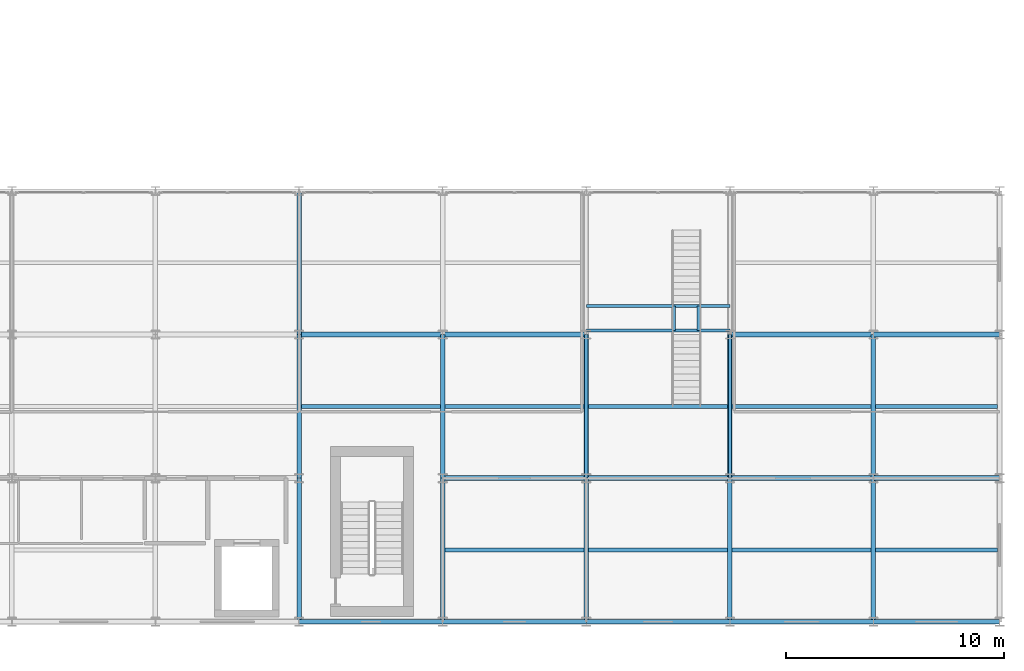
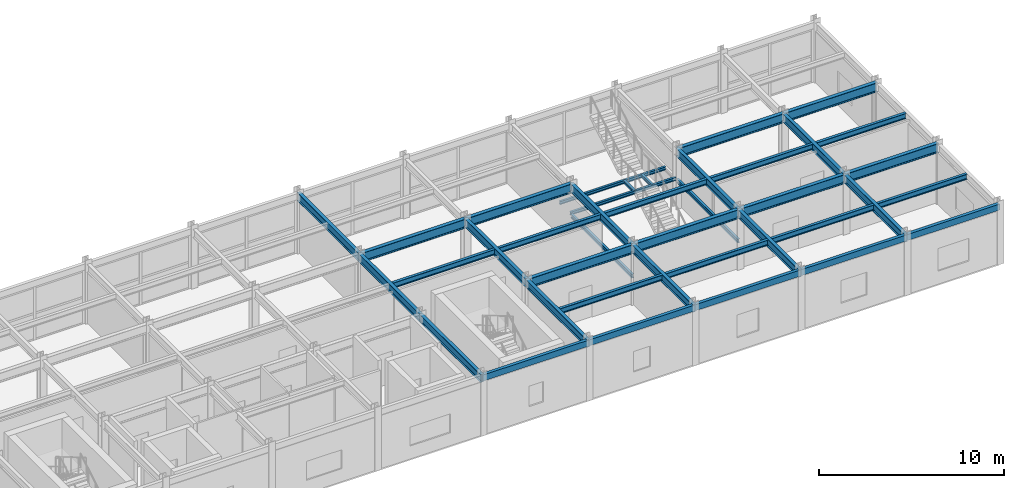
# One storey, part 103 of 157: 39 beams.
"""IFC4 building model written with IfcOpenShell, lengths in metres."""

import ifcopenshell
import ifcopenshell.guid

model = None  # the IFC model being written
_history = None  # IfcOwnerHistory: only IFC2X3 demands one
_inside = {}  # id of a spatial element -> (the spatial element, [elements in it])
_under = {}  # id of a project, library or spatial element -> (it, [spatial elements below it])
_declared = {}  # id of a project -> (the project, [libraries it declares])
_typed = {}  # id of a type object -> (the type object, [elements of that type])
_made_of = {}  # id of a material, layer set ... -> (it, [elements and type objects made of it])


def new_model(schema):
    """Start an empty IFC model of exactly this schema.

    Asked for "IFC4X3", IfcOpenShell would pick the latest addendum, in which some entities
    have other attributes; the version numbers below select the first issue.
    IFC2X3 requires an IfcOwnerHistory on every rooted entity: one is made here for all.
    """
    global model, _history
    if schema == "IFC4X3":
        model = ifcopenshell.file(schema_version=(4, 3, 0, 0))
    else:
        model = ifcopenshell.file(schema=schema)
    _inside.clear()
    _under.clear()
    _declared.clear()
    _typed.clear()
    _made_of.clear()
    _history = None
    if model.schema == "IFC2X3":
        org = make("IfcOrganization", Name="unknown")
        user = make(
            "IfcPersonAndOrganization",
            ThePerson=make("IfcPerson", FamilyName="unknown"),
            TheOrganization=org,
        )
        app = make(
            "IfcApplication",
            ApplicationDeveloper=org,
            Version="unknown",
            ApplicationFullName="unknown",
            ApplicationIdentifier="unknown",
        )
        _history = make(
            "IfcOwnerHistory",
            OwningUser=user,
            OwningApplication=app,
            ChangeAction="ADDED",
            CreationDate=0,
        )
    return model


def make(cls, **values):
    """One entity of the class cls with the attributes given. An attribute that is None is left unset."""
    return model.create_entity(
        cls, **{name: value for name, value in values.items() if value is not None}
    )


def rooted(cls, **values):
    """An entity with a GlobalId (a new one), such as an element, a storey or a relation."""
    return make(cls, GlobalId=ifcopenshell.guid.new(), OwnerHistory=_history, **values)


def si_unit(unit_type, name, prefix=None):
    """IfcSIUnit, for example si_unit("LENGTHUNIT", "METRE", prefix="MILLI")."""
    return make("IfcSIUnit", UnitType=unit_type, Prefix=prefix, Name=name)


def assignment(units):
    """IfcUnitAssignment: the units of a project."""
    return None if units is None else make("IfcUnitAssignment", Units=units)


def point(xyz):
    """IfcCartesianPoint."""
    return None if xyz is None else make("IfcCartesianPoint", Coordinates=xyz)


def direction(xyz):
    """IfcDirection."""
    return None if xyz is None else make("IfcDirection", DirectionRatios=xyz)


def frame(location, z_axis=None, x_axis=None):
    """IfcAxis2Placement3D, a coordinate frame: its origin and axes. An axis left out is left unset."""
    return make(
        "IfcAxis2Placement3D",
        Location=point(location),
        Axis=direction(z_axis),
        RefDirection=direction(x_axis),
    )


def frame_2d(location, x_axis=None):
    """IfcAxis2Placement2D, a coordinate frame in the plane: its origin and x axis."""
    return make(
        "IfcAxis2Placement2D", Location=point(location), RefDirection=direction(x_axis)
    )


def origin():
    """The frame at (0, 0, 0) with its axes left unset."""
    return frame((0.0, 0.0, 0.0))


def origin_2d():
    """The frame at (0, 0) in the plane with its x axis left unset."""
    return frame_2d((0.0, 0.0))


def place(relative_to, where):
    """IfcLocalPlacement: puts the frame where relative to a parent placement (None: the world)."""
    return make(
        "IfcLocalPlacement", PlacementRelTo=relative_to, RelativePlacement=where
    )


def context(
    kind, dimensions, precision=None, world=None, true_north=None, identifier=None
):
    """IfcGeometricRepresentationContext, for example the 3D "Model" context."""
    return make(
        "IfcGeometricRepresentationContext",
        ContextIdentifier=identifier,
        ContextType=kind,
        CoordinateSpaceDimension=dimensions,
        Precision=precision,
        WorldCoordinateSystem=world,
        TrueNorth=true_north,
    )


def subcontext(parent, identifier, kind, view, scale=None):
    """IfcGeometricRepresentationSubContext, for example "Body" below "Model"."""
    return make(
        "IfcGeometricRepresentationSubContext",
        ContextIdentifier=identifier,
        ContextType=kind,
        ParentContext=parent,
        TargetScale=scale,
        TargetView=view,
    )


def project(units=None, contexts=None):
    """IfcProject with its units and contexts."""
    return rooted(
        "IfcProject",
        Name="project",
        RepresentationContexts=contexts,
        UnitsInContext=assignment(units),
    )


def spatial(cls, under=None, at=None, **own):
    """A site, building, storey or space (cls), placed at a placement, below another one or the project."""
    s = rooted(cls, ObjectPlacement=at, **own)
    if under is not None:
        _under.setdefault(under.id(), (under, []))[1].append(s)
    return s


def profile(cls, at=None, kind="AREA", **sizes):
    """A parametric profile (cls). Its sizes go by their IFC names, for example OverallWidth=200.0."""
    return make(cls, ProfileType=kind, Position=at, **sizes)


def hollow_rectangle(**sizes):
    """IfcRectangleHollowProfileDef."""
    return profile("IfcRectangleHollowProfileDef", **sizes)


def i_section(**sizes):
    """IfcIShapeProfileDef."""
    return profile("IfcIShapeProfileDef", **sizes)


def extrude(swept, where, along, depth):
    """IfcExtrudedAreaSolid: the profile swept, set in the frame where, extruded along a direction by depth."""
    return make(
        "IfcExtrudedAreaSolid",
        SweptArea=swept,
        Position=where,
        ExtrudedDirection=direction(along),
        Depth=depth,
    )


def shape(context_of_items, identifier, shape_type, items):
    """IfcShapeRepresentation: the items that make up one representation, for example the "Body"."""
    return make(
        "IfcShapeRepresentation",
        ContextOfItems=context_of_items,
        RepresentationIdentifier=identifier,
        RepresentationType=shape_type,
        Items=items,
    )


def material(Name=None, Category=None):
    """IfcMaterial."""
    return make("IfcMaterial", Name=Name, Category=Category)


def material_profile(
    of_material, cross_section, Name=None, Category=None, Priority=None
):
    """IfcMaterialProfile: a cross section and its material."""
    return make(
        "IfcMaterialProfile",
        Name=Name,
        Material=of_material,
        Profile=cross_section,
        Priority=Priority,
        Category=Category,
    )


def profile_set(profiles, Name=None, composite=None):
    """IfcMaterialProfileSet."""
    return make(
        "IfcMaterialProfileSet",
        Name=Name,
        MaterialProfiles=profiles,
        CompositeProfile=composite,
    )


def made_of(thing, what):
    """Note that an element or type object is made of a material, layer set ...; save() writes the relation."""
    if what is not None:
        _made_of.setdefault(what.id(), (what, []))[1].append(thing)
    return thing


def type_object(cls, material=None, **own):
    """A type object (cls), such as IfcWallType, which elements share."""
    return made_of(rooted(cls, **own), material)


def element(
    cls,
    number,
    at=None,
    inside=None,
    cuts=None,
    type_object=None,
    material=None,
    context=None,
    identifier="Body",
    shape_type=None,
    held_by="IfcProductDefinitionShape",
    body=None,
    shapes=None,
    **own,
):
    """One element of the class cls, such as IfcWall. Its Tag is "e" and its number.

    at: its placement. inside: the storey or other place that contains it. cuts: it is an
    opening in that element (IfcRelVoidsElement). A single representation is given by context,
    identifier, shape_type and body (its items); several are given by shapes. held_by: the class
    of the entity that holds the representations. save() writes the other relations.
    """
    e = rooted(cls, Tag="e%d" % number, ObjectPlacement=at, **own)
    if body is not None:
        shapes = [shape(context, identifier, shape_type, body)]
    if shapes is not None:
        e.Representation = make(held_by, Representations=shapes)
    if inside is not None:
        _inside.setdefault(inside.id(), (inside, []))[1].append(e)
    if cuts is not None:
        rooted(
            "IfcRelVoidsElement", RelatingBuildingElement=cuts, RelatedOpeningElement=e
        )
    if type_object is not None:
        _typed.setdefault(type_object.id(), (type_object, []))[1].append(e)
    return made_of(e, material)


def aggregate(whole, parts):
    """IfcRelAggregates: a whole, such as a stair, and the parts it consists of."""
    return rooted("IfcRelAggregates", RelatingObject=whole, RelatedObjects=parts)


def save(model, path):
    """Write the relations noted so far, then the file.

    IfcRelAggregates (storeys below a building ...), IfcRelContainedInSpatialStructure (elements
    in a storey), IfcRelDefinesByType, IfcRelAssociatesMaterial and IfcRelDeclares: one each for
    every whole, place, type object, material and project.
    """
    for whole, parts in _under.values():
        aggregate(whole, parts)
    for where, things in _inside.values():
        rooted(
            "IfcRelContainedInSpatialStructure",
            RelatedElements=things,
            RelatingStructure=where,
        )
    for kind, things in _typed.values():
        rooted("IfcRelDefinesByType", RelatedObjects=things, RelatingType=kind)
    for what, things in _made_of.values():
        rooted("IfcRelAssociatesMaterial", RelatedObjects=things, RelatingMaterial=what)
    for by, libraries in _declared.values():
        rooted("IfcRelDeclares", RelatingContext=by, RelatedDefinitions=libraries)
    model.write(path)


model = new_model("IFC4")

# Units and contexts
model_context = context("Model", 3, precision=1e-05, world=origin(), true_north=direction((0.0, 1.0)))
body_context = subcontext(model_context, "Body", "Model", "MODEL_VIEW")
ifc_project = project(units=[si_unit("LENGTHUNIT", "METRE"), si_unit("AREAUNIT", "SQUARE_METRE"), si_unit("VOLUMEUNIT", "CUBIC_METRE"), si_unit("PLANEANGLEUNIT", "RADIAN"), si_unit("MASSUNIT", "GRAM", prefix="KILO")], contexts=[model_context])

# Site, building, storey
site_placement = place(None, origin())
site = spatial("IfcSite", under=ifc_project, at=site_placement, CompositionType="ELEMENT")
building_placement = place(site_placement, origin())
building = spatial("IfcBuilding", under=site, at=building_placement, Name="Karori Crest Natural Sciences Institute", CompositionType="ELEMENT")
storey_placement = place(building_placement, frame((0.0, 0.0, 13.300048828125)))
storey = spatial("IfcBuildingStorey", under=building, at=storey_placement, Name="L03", CompositionType="ELEMENT", Elevation=13.300048828125)

# Beams
ifc_material_1 = material(Name="Structural steel AS/NZS 3679.1 Grade 350", Category="steel")
ifc_material_profile_1 = material_profile(ifc_material_1, i_section(OverallWidth=0.22900390625, OverallDepth=0.612060546875, WebThickness=0.011962890625, FlangeThickness=0.01953125, FilletRadius=0.013916015625, at=origin_2d()), Name="610UB125")
ifc_profile_set_1 = profile_set([ifc_material_profile_1], Name="Structural steel AS/NZS 3679.1 Grade 350")
beam_type_1 = type_object("IfcBeamType", Name="BT-04", PredefinedType="BEAM", material=ifc_profile_set_1)
beam_1_placement = place(storey_placement, frame((136.60009765625, 7.39990234375, 3.614013671875), z_axis=(1.0, 0.0, 0.0), x_axis=(0.0, 1.0, 0.0)))
element("IfcBeam", 1, at=beam_1_placement, inside=storey, type_object=beam_type_1, Name="Beam B-2294", PredefinedType="BEAM", context=body_context, shape_type="SweptSolid", body=[
    extrude(i_section(OverallWidth=0.22900390625, OverallDepth=0.612060546875, WebThickness=0.011962890625, FlangeThickness=0.01953125, FilletRadius=0.013916015625, at=origin_2d()), origin(), (0.0, 0.0, 1.0), 6.599853515625),
])
beam_2_placement = place(storey_placement, frame((143.199951171875, 7.39990234375, 3.614013671875), z_axis=(1.0, 0.0, 0.0), x_axis=(0.0, 1.0, 0.0)))
element("IfcBeam", 2, at=beam_2_placement, inside=storey, type_object=beam_type_1, Name="Beam B-2295", PredefinedType="BEAM", context=body_context, shape_type="SweptSolid", body=[
    extrude(i_section(OverallWidth=0.22900390625, OverallDepth=0.612060546875, WebThickness=0.011962890625, FlangeThickness=0.01953125, FilletRadius=0.013916015625, at=origin_2d()), origin(), (0.0, 0.0, 1.0), 6.60009765625),
])
beam_3_placement = place(storey_placement, frame((149.800048828125, 7.39990234375, 3.614013671875), z_axis=(1.0, 0.0, 0.0), x_axis=(0.0, 1.0, 0.0)))
element("IfcBeam", 3, at=beam_3_placement, inside=storey, type_object=beam_type_1, Name="Beam B-2296", PredefinedType="BEAM", context=body_context, shape_type="SweptSolid", body=[
    extrude(i_section(OverallWidth=0.22900390625, OverallDepth=0.612060546875, WebThickness=0.011962890625, FlangeThickness=0.01953125, FilletRadius=0.013916015625, at=origin_2d()), origin(), (0.0, 0.0, 1.0), 6.599853515625),
])
beam_4_placement = place(storey_placement, frame((156.39990234375, 7.39990234375, 3.614013671875), z_axis=(1.0, 0.0, 0.0), x_axis=(0.0, 1.0, 0.0)))
element("IfcBeam", 4, at=beam_4_placement, inside=storey, type_object=beam_type_1, Name="Beam B-2297", PredefinedType="BEAM", context=body_context, shape_type="SweptSolid", body=[
    extrude(i_section(OverallWidth=0.22900390625, OverallDepth=0.612060546875, WebThickness=0.011962890625, FlangeThickness=0.01953125, FilletRadius=0.013916015625, at=origin_2d()), origin(), (0.0, 0.0, 1.0), 5.800048828125),
])
beam_5_placement = place(storey_placement, frame((130.0, 14.0, 3.614013671875), z_axis=(1.0, 0.0, 0.0), x_axis=(0.0, 1.0, 0.0)))
element("IfcBeam", 5, at=beam_5_placement, inside=storey, type_object=beam_type_1, Name="Beam B-2302", PredefinedType="BEAM", context=body_context, shape_type="SweptSolid", body=[
    extrude(i_section(OverallWidth=0.22900390625, OverallDepth=0.612060546875, WebThickness=0.011962890625, FlangeThickness=0.01953125, FilletRadius=0.013916015625, at=origin_2d()), origin(), (0.0, 0.0, 1.0), 6.60009765625),
])
for number, where, z_axis, x_axis, name in (
    (6, (136.60009765625, 14.0, 3.614013671875), (1.0, 0.0, 0.0), (0.0, 1.0, 0.0), "Beam B-2303"),
    (7, (149.800048828125, 14.0, 3.614013671875), (1.0, 0.0, 0.0), (0.0, 1.0, 0.0), "Beam B-2304"),
):
    element("IfcBeam", number, at=place(storey_placement, frame(where, z_axis=z_axis, x_axis=x_axis)), inside=storey, type_object=beam_type_1, Name=name, PredefinedType="BEAM", context=body_context, shape_type="SweptSolid", body=[
        extrude(i_section(OverallWidth=0.22900390625, OverallDepth=0.612060546875, WebThickness=0.011962890625, FlangeThickness=0.01953125, FilletRadius=0.013916015625, at=origin_2d()), origin(), (0.0, 0.0, 1.0), 6.599853515625),
    ])
beam_6_placement = place(storey_placement, frame((156.39990234375, 14.0, 3.614013671875), z_axis=(1.0, 0.0, 0.0), x_axis=(0.0, 1.0, 0.0)))
element("IfcBeam", 8, at=beam_6_placement, inside=storey, type_object=beam_type_1, Name="Beam B-2305", PredefinedType="BEAM", context=body_context, shape_type="SweptSolid", body=[
    extrude(i_section(OverallWidth=0.22900390625, OverallDepth=0.612060546875, WebThickness=0.011962890625, FlangeThickness=0.01953125, FilletRadius=0.013916015625, at=origin_2d()), origin(), (0.0, 0.0, 1.0), 5.800048828125),
])
ifc_material_profile_2 = material_profile(ifc_material_1, i_section(OverallWidth=0.208984375, OverallDepth=0.532958984375, WebThickness=0.01025390625, FlangeThickness=0.015625, FilletRadius=0.013916015625, at=origin_2d()), Name="530UB92.4")
ifc_profile_set_2 = profile_set([ifc_material_profile_2], Name="Structural steel AS/NZS 3679.1 Grade 350")
beam_type_2 = type_object("IfcBeamType", Name="BT-05", PredefinedType="BEAM", material=ifc_profile_set_2)
beam_7_placement = place(storey_placement, frame((130.0, 0.800048828125, 3.653564453125), z_axis=(0.0, 1.0, 0.0), x_axis=(-1.0, 0.0, 0.0)))
element("IfcBeam", 9, at=beam_7_placement, inside=storey, type_object=beam_type_2, Name="Beam B-2327", PredefinedType="BEAM", context=body_context, shape_type="SweptSolid", body=[
    extrude(i_section(OverallWidth=0.208984375, OverallDepth=0.532958984375, WebThickness=0.01025390625, FlangeThickness=0.015625, FilletRadius=0.013916015625, at=origin_2d()), origin(), (0.0, 0.0, 1.0), 6.599853515625),
])
for number, where, z_axis, x_axis, name in (
    (10, (130.0, 7.39990234375, 3.653564453125), (0.0, 1.0, 0.0), (-1.0, 0.0, 0.0), "Beam B-2328"),
    (11, (130.0, 14.0, 3.653564453125), (0.0, 1.0, 0.0), (-1.0, 0.0, 0.0), "Beam B-2329"),
):
    element("IfcBeam", number, at=place(storey_placement, frame(where, z_axis=z_axis, x_axis=x_axis)), inside=storey, type_object=beam_type_2, Name=name, PredefinedType="BEAM", context=body_context, shape_type="SweptSolid", body=[
        extrude(i_section(OverallWidth=0.208984375, OverallDepth=0.532958984375, WebThickness=0.01025390625, FlangeThickness=0.015625, FilletRadius=0.013916015625, at=origin_2d()), origin(), (0.0, 0.0, 1.0), 6.60009765625),
    ])
beam_8_placement = place(storey_placement, frame((136.60009765625, 0.800048828125, 3.653564453125), z_axis=(0.0, 1.0, 0.0), x_axis=(-1.0, 0.0, 0.0)))
element("IfcBeam", 12, at=beam_8_placement, inside=storey, type_object=beam_type_2, Name="Beam B-2330", PredefinedType="BEAM", context=body_context, shape_type="SweptSolid", body=[
    extrude(i_section(OverallWidth=0.208984375, OverallDepth=0.532958984375, WebThickness=0.01025390625, FlangeThickness=0.015625, FilletRadius=0.013916015625, at=origin_2d()), origin(), (0.0, 0.0, 1.0), 6.599853515625),
])
beam_9_placement = place(storey_placement, frame((136.60009765625, 7.39990234375, 3.653564453125), z_axis=(0.0, 1.0, 0.0), x_axis=(-1.0, 0.0, 0.0)))
element("IfcBeam", 13, at=beam_9_placement, inside=storey, type_object=beam_type_2, Name="Beam B-2331", PredefinedType="BEAM", context=body_context, shape_type="SweptSolid", body=[
    extrude(i_section(OverallWidth=0.208984375, OverallDepth=0.532958984375, WebThickness=0.01025390625, FlangeThickness=0.015625, FilletRadius=0.013916015625, at=origin_2d()), origin(), (0.0, 0.0, 1.0), 6.60009765625),
])
beam_10_placement = place(storey_placement, frame((143.199951171875, 0.800048828125, 3.653564453125), z_axis=(0.0, 1.0, 0.0), x_axis=(-1.0, 0.0, 0.0)))
element("IfcBeam", 14, at=beam_10_placement, inside=storey, type_object=beam_type_2, Name="Beam B-2333", PredefinedType="BEAM", context=body_context, shape_type="SweptSolid", body=[
    extrude(i_section(OverallWidth=0.208984375, OverallDepth=0.532958984375, WebThickness=0.01025390625, FlangeThickness=0.015625, FilletRadius=0.013916015625, at=origin_2d()), origin(), (0.0, 0.0, 1.0), 6.599853515625),
])
beam_11_placement = place(storey_placement, frame((143.199951171875, 7.39990234375, 3.653564453125), z_axis=(0.0, 1.0, 0.0), x_axis=(-1.0, 0.0, 0.0)))
element("IfcBeam", 15, at=beam_11_placement, inside=storey, type_object=beam_type_2, Name="Beam B-2334", PredefinedType="BEAM", context=body_context, shape_type="SweptSolid", body=[
    extrude(i_section(OverallWidth=0.208984375, OverallDepth=0.532958984375, WebThickness=0.01025390625, FlangeThickness=0.015625, FilletRadius=0.013916015625, at=origin_2d()), origin(), (0.0, 0.0, 1.0), 6.60009765625),
])
beam_12_placement = place(storey_placement, frame((149.800048828125, 0.800048828125, 3.653564453125), z_axis=(0.0, 1.0, 0.0), x_axis=(-1.0, 0.0, 0.0)))
element("IfcBeam", 16, at=beam_12_placement, inside=storey, type_object=beam_type_2, Name="Beam B-2336", PredefinedType="BEAM", context=body_context, shape_type="SweptSolid", body=[
    extrude(i_section(OverallWidth=0.208984375, OverallDepth=0.532958984375, WebThickness=0.01025390625, FlangeThickness=0.015625, FilletRadius=0.013916015625, at=origin_2d()), origin(), (0.0, 0.0, 1.0), 6.599853515625),
])
beam_13_placement = place(storey_placement, frame((149.800048828125, 7.39990234375, 3.653564453125), z_axis=(0.0, 1.0, 0.0), x_axis=(-1.0, 0.0, 0.0)))
element("IfcBeam", 17, at=beam_13_placement, inside=storey, type_object=beam_type_2, Name="Beam B-2337", PredefinedType="BEAM", context=body_context, shape_type="SweptSolid", body=[
    extrude(i_section(OverallWidth=0.208984375, OverallDepth=0.532958984375, WebThickness=0.01025390625, FlangeThickness=0.015625, FilletRadius=0.013916015625, at=origin_2d()), origin(), (0.0, 0.0, 1.0), 6.60009765625),
])
beam_14_placement = place(storey_placement, frame((156.39990234375, 0.800048828125, 3.653564453125), z_axis=(0.0, 1.0, 0.0), x_axis=(-1.0, 0.0, 0.0)))
element("IfcBeam", 18, at=beam_14_placement, inside=storey, type_object=beam_type_2, Name="Beam B-2339", PredefinedType="BEAM", context=body_context, shape_type="SweptSolid", body=[
    extrude(i_section(OverallWidth=0.208984375, OverallDepth=0.532958984375, WebThickness=0.01025390625, FlangeThickness=0.015625, FilletRadius=0.013916015625, at=origin_2d()), origin(), (0.0, 0.0, 1.0), 6.599853515625),
])
beam_15_placement = place(storey_placement, frame((156.39990234375, 7.39990234375, 3.653564453125), z_axis=(0.0, 1.0, 0.0), x_axis=(-1.0, 0.0, 0.0)))
element("IfcBeam", 19, at=beam_15_placement, inside=storey, type_object=beam_type_2, Name="Beam B-2340", PredefinedType="BEAM", context=body_context, shape_type="SweptSolid", body=[
    extrude(i_section(OverallWidth=0.208984375, OverallDepth=0.532958984375, WebThickness=0.01025390625, FlangeThickness=0.015625, FilletRadius=0.013916015625, at=origin_2d()), origin(), (0.0, 0.0, 1.0), 6.60009765625),
])
ifc_material_profile_3 = material_profile(ifc_material_1, i_section(OverallWidth=0.172119140625, OverallDepth=0.35888671875, WebThickness=0.008056640625, FlangeThickness=0.012939453125, FilletRadius=0.010986328125, at=origin_2d()), Name="360UB56.7")
ifc_profile_set_3 = profile_set([ifc_material_profile_3], Name="Structural steel AS/NZS 3679.1 Grade 350")
beam_type_3 = type_object("IfcBeamType", Name="BT-08", PredefinedType="BEAM", material=ifc_profile_set_3)
beam_16_placement = place(storey_placement, frame((130.1044921875, 10.699951171875, 3.740478515625), z_axis=(1.0, 0.0, 0.0), x_axis=(0.0, 1.0, 0.0)))
element("IfcBeam", 20, at=beam_16_placement, inside=storey, type_object=beam_type_3, Name="Beam B-2354", PredefinedType="BEAM", context=body_context, shape_type="SweptSolid", body=[
    extrude(i_section(OverallWidth=0.172119140625, OverallDepth=0.35888671875, WebThickness=0.008056640625, FlangeThickness=0.012939453125, FilletRadius=0.010986328125, at=origin_2d()), origin(), (0.0, 0.0, 1.0), 6.39111328125),
])
for number, where, z_axis, x_axis, name in (
    (21, (136.70458984375, 4.10009765625, 3.740478515625), (1.0, 0.0, 0.0), (0.0, 1.0, 0.0), "Beam B-2356"),
    (22, (136.70458984375, 10.699951171875, 3.740478515625), (1.0, 0.0, 0.0), (0.0, 1.0, 0.0), "Beam B-2357"),
):
    element("IfcBeam", number, at=place(storey_placement, frame(where, z_axis=z_axis, x_axis=x_axis)), inside=storey, type_object=beam_type_3, Name=name, PredefinedType="BEAM", context=body_context, shape_type="SweptSolid", body=[
        extrude(i_section(OverallWidth=0.172119140625, OverallDepth=0.35888671875, WebThickness=0.008056640625, FlangeThickness=0.012939453125, FilletRadius=0.010986328125, at=origin_2d()), origin(), (0.0, 0.0, 1.0), 6.390869140625),
    ])
for number, where, z_axis, x_axis, name in (
    (23, (143.304443359375, 4.10009765625, 3.740478515625), (1.0, 0.0, 0.0), (0.0, 1.0, 0.0), "Beam B-2359"),
    (24, (143.304443359375, 10.699951171875, 3.740478515625), (1.0, 0.0, 0.0), (0.0, 1.0, 0.0), "Beam B-2360"),
):
    element("IfcBeam", number, at=place(storey_placement, frame(where, z_axis=z_axis, x_axis=x_axis)), inside=storey, type_object=beam_type_3, Name=name, PredefinedType="BEAM", context=body_context, shape_type="SweptSolid", body=[
        extrude(i_section(OverallWidth=0.172119140625, OverallDepth=0.35888671875, WebThickness=0.008056640625, FlangeThickness=0.012939453125, FilletRadius=0.010986328125, at=origin_2d()), origin(), (0.0, 0.0, 1.0), 6.39111328125),
    ])
for number, where, z_axis, x_axis, name in (
    (25, (149.904541015625, 4.10009765625, 3.740478515625), (1.0, 0.0, 0.0), (0.0, 1.0, 0.0), "Beam B-2361"),
    (26, (149.904541015625, 10.699951171875, 3.740478515625), (1.0, 0.0, 0.0), (0.0, 1.0, 0.0), "Beam B-2362"),
):
    element("IfcBeam", number, at=place(storey_placement, frame(where, z_axis=z_axis, x_axis=x_axis)), inside=storey, type_object=beam_type_3, Name=name, PredefinedType="BEAM", context=body_context, shape_type="SweptSolid", body=[
        extrude(i_section(OverallWidth=0.172119140625, OverallDepth=0.35888671875, WebThickness=0.008056640625, FlangeThickness=0.012939453125, FilletRadius=0.010986328125, at=origin_2d()), origin(), (0.0, 0.0, 1.0), 6.390869140625),
    ])
for number, where, z_axis, x_axis, name in (
    (27, (156.50439453125, 4.10009765625, 3.740478515625), (1.0, 0.0, 0.0), (0.0, 1.0, 0.0), "Beam B-2364"),
    (28, (156.50439453125, 10.699951171875, 3.740478515625), (1.0, 0.0, 0.0), (0.0, 1.0, 0.0), "Beam B-2365"),
):
    element("IfcBeam", number, at=place(storey_placement, frame(where, z_axis=z_axis, x_axis=x_axis)), inside=storey, type_object=beam_type_3, Name=name, PredefinedType="BEAM", context=body_context, shape_type="SweptSolid", body=[
        extrude(i_section(OverallWidth=0.172119140625, OverallDepth=0.35888671875, WebThickness=0.008056640625, FlangeThickness=0.012939453125, FilletRadius=0.010986328125, at=origin_2d()), origin(), (0.0, 0.0, 1.0), 5.591064453125),
    ])
ifc_material_profile_4 = material_profile(ifc_material_1, i_section(OverallWidth=0.14599609375, OverallDepth=0.256103515625, WebThickness=0.00634765625, FlangeThickness=0.010986328125, FilletRadius=0.009033203125, at=origin_2d()), Name="250UB37.3")
ifc_profile_set_4 = profile_set([ifc_material_profile_4], Name="Structural steel AS/NZS 3679.1 Grade 350")
beam_type_4 = type_object("IfcBeamType", Name="BT-11-IL", PredefinedType="BEAM", material=ifc_profile_set_4)
for number, where, z_axis, x_axis, name in (
    (29, (143.199951171875, 7.39990234375, 1.761962890625), (0.0, 1.0, 0.0), (-1.0, 0.0, 0.0), "Stair stringer girder ST-15"),
    (30, (149.800048828125, 7.39990234375, 1.761962890625), (0.0, 1.0, 0.0), (-1.0, 0.0, 0.0), "Stair stringer girder ST-15"),
):
    element("IfcBeam", number, at=place(storey_placement, frame(where, z_axis=z_axis, x_axis=x_axis)), inside=storey, type_object=beam_type_4, Name=name, PredefinedType="BEAM", context=body_context, shape_type="SweptSolid", body=[
        extrude(i_section(OverallWidth=0.14599609375, OverallDepth=0.256103515625, WebThickness=0.00634765625, FlangeThickness=0.010986328125, FilletRadius=0.009033203125, at=origin_2d()), origin(), (0.0, 0.0, 1.0), 6.60009765625),
    ])
ifc_material_profile_5 = material_profile(ifc_material_1, i_section(OverallWidth=0.134033203125, OverallDepth=0.20703125, WebThickness=0.00634765625, FlangeThickness=0.009521484375, FilletRadius=0.009033203125, at=origin_2d()), Name="200UB29.8")
ifc_profile_set_5 = profile_set([ifc_material_profile_5], Name="Structural steel AS/NZS 3679.1 Grade 350")
beam_type_5 = type_object("IfcBeamType", Name="BT-13-IL", PredefinedType="BEAM", material=ifc_profile_set_5)
for number, where, z_axis, x_axis, name in (
    (31, (143.199951171875, 14.179931640625, 1.785888671875), (1.0, 0.0, 0.0), (0.0, 1.0, 0.0), "Stair landing trimmer ST-15"),
    (32, (143.199951171875, 15.320068359375, 1.785888671875), (1.0, 0.0, 0.0), (0.0, 1.0, 0.0), "Stair landing trimmer ST-15"),
):
    element("IfcBeam", number, at=place(storey_placement, frame(where, z_axis=z_axis, x_axis=x_axis)), inside=storey, type_object=beam_type_5, Name=name, PredefinedType="BEAM", context=body_context, shape_type="SweptSolid", body=[
        extrude(i_section(OverallWidth=0.134033203125, OverallDepth=0.20703125, WebThickness=0.00634765625, FlangeThickness=0.009521484375, FilletRadius=0.009033203125, at=origin_2d()), origin(), (0.0, 0.0, 1.0), 6.60009765625),
    ])
for number, where, z_axis, x_axis, name in (
    (33, (147.2451171875, 14.179931640625, 1.785888671875), (0.0, 1.0, 0.0), (-1.0, 0.0, 0.0), "Stair landing joist ST-15"),
    (34, (148.35498046875, 14.179931640625, 1.785888671875), (0.0, 1.0, 0.0), (-1.0, 0.0, 0.0), "Stair landing joist ST-15"),
):
    element("IfcBeam", number, at=place(storey_placement, frame(where, z_axis=z_axis, x_axis=x_axis)), inside=storey, type_object=beam_type_5, Name=name, PredefinedType="BEAM", context=body_context, shape_type="SweptSolid", body=[
        extrude(i_section(OverallWidth=0.134033203125, OverallDepth=0.20703125, WebThickness=0.00634765625, FlangeThickness=0.009521484375, FilletRadius=0.009033203125, at=origin_2d()), origin(), (0.0, 0.0, 1.0), 1.14013671875),
    ])
ifc_material_2 = material(Name="Hollow structural steel AS/NZS 1163 Grade C350", Category="steel")
ifc_material_profile_6 = material_profile(ifc_material_2, hollow_rectangle(XDim=0.199951171875, YDim=0.39990234375, WallThickness=0.012451171875, at=origin_2d()), Name="RHS400x200x12.5")
ifc_profile_set_6 = profile_set([ifc_material_profile_6], Name="Hollow structural steel AS/NZS 1163 Grade C350")
beam_type_6 = type_object("IfcBeamType", Name="BT-14", PredefinedType="SPANDREL", material=ifc_profile_set_6)
beam_17_placement = place(storey_placement, frame((130.0, 0.800048828125, 3.719970703125), z_axis=(1.0, 0.0, 0.0), x_axis=(0.0, 1.0, 0.0)))
element("IfcBeam", 35, at=beam_17_placement, inside=storey, type_object=beam_type_6, Name="Beam B-2286", PredefinedType="SPANDREL", context=body_context, shape_type="SweptSolid", body=[
    extrude(hollow_rectangle(XDim=0.199951171875, YDim=0.39990234375, WallThickness=0.012451171875, at=origin_2d()), origin(), (0.0, 0.0, 1.0), 6.60009765625),
])
beam_18_placement = place(storey_placement, frame((136.60009765625, 0.800048828125, 3.719970703125), z_axis=(1.0, 0.0, 0.0), x_axis=(0.0, 1.0, 0.0)))
element("IfcBeam", 36, at=beam_18_placement, inside=storey, type_object=beam_type_6, Name="Beam B-2287", PredefinedType="SPANDREL", context=body_context, shape_type="SweptSolid", body=[
    extrude(hollow_rectangle(XDim=0.199951171875, YDim=0.39990234375, WallThickness=0.012451171875, at=origin_2d()), origin(), (0.0, 0.0, 1.0), 6.599853515625),
])
beam_19_placement = place(storey_placement, frame((143.199951171875, 0.800048828125, 3.719970703125), z_axis=(1.0, 0.0, 0.0), x_axis=(0.0, 1.0, 0.0)))
element("IfcBeam", 37, at=beam_19_placement, inside=storey, type_object=beam_type_6, Name="Beam B-2288", PredefinedType="SPANDREL", context=body_context, shape_type="SweptSolid", body=[
    extrude(hollow_rectangle(XDim=0.199951171875, YDim=0.39990234375, WallThickness=0.012451171875, at=origin_2d()), origin(), (0.0, 0.0, 1.0), 6.60009765625),
])
beam_20_placement = place(storey_placement, frame((149.800048828125, 0.800048828125, 3.719970703125), z_axis=(1.0, 0.0, 0.0), x_axis=(0.0, 1.0, 0.0)))
element("IfcBeam", 38, at=beam_20_placement, inside=storey, type_object=beam_type_6, Name="Beam B-2289", PredefinedType="SPANDREL", context=body_context, shape_type="SweptSolid", body=[
    extrude(hollow_rectangle(XDim=0.199951171875, YDim=0.39990234375, WallThickness=0.012451171875, at=origin_2d()), origin(), (0.0, 0.0, 1.0), 6.599853515625),
])
beam_21_placement = place(storey_placement, frame((156.39990234375, 0.800048828125, 3.719970703125), z_axis=(1.0, 0.0, 0.0), x_axis=(0.0, 1.0, 0.0)))
element("IfcBeam", 39, at=beam_21_placement, inside=storey, type_object=beam_type_6, Name="Beam B-2290", PredefinedType="SPANDREL", context=body_context, shape_type="SweptSolid", body=[
    extrude(hollow_rectangle(XDim=0.199951171875, YDim=0.39990234375, WallThickness=0.012451171875, at=origin_2d()), origin(), (0.0, 0.0, 1.0), 5.800048828125),
])

save(model, "model.ifc")
